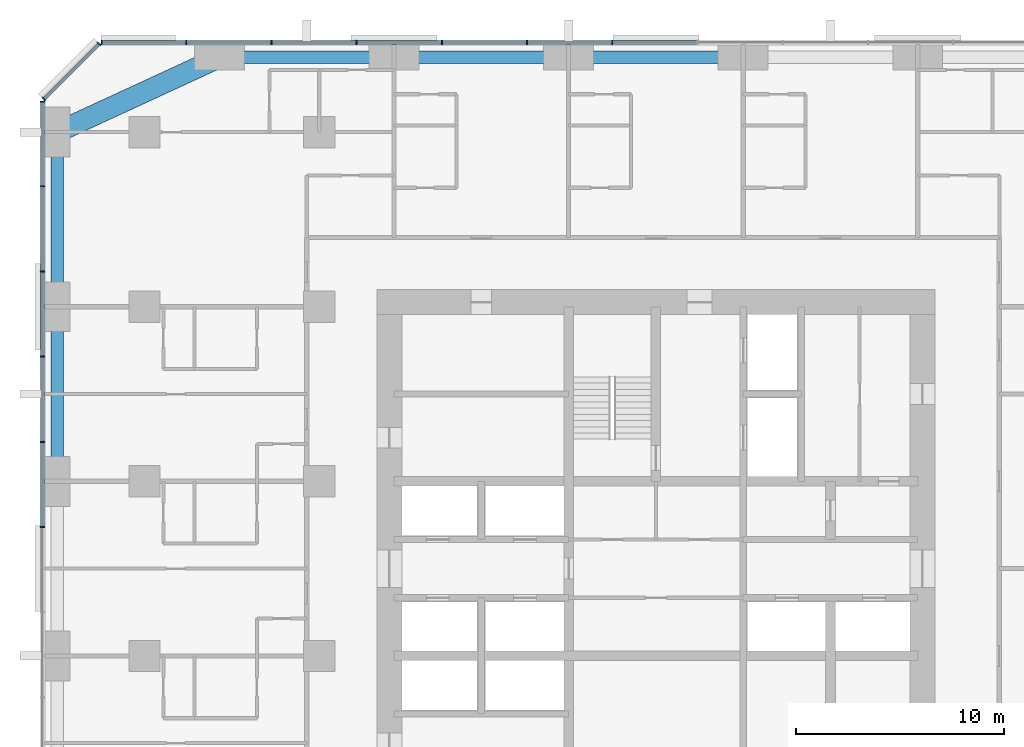
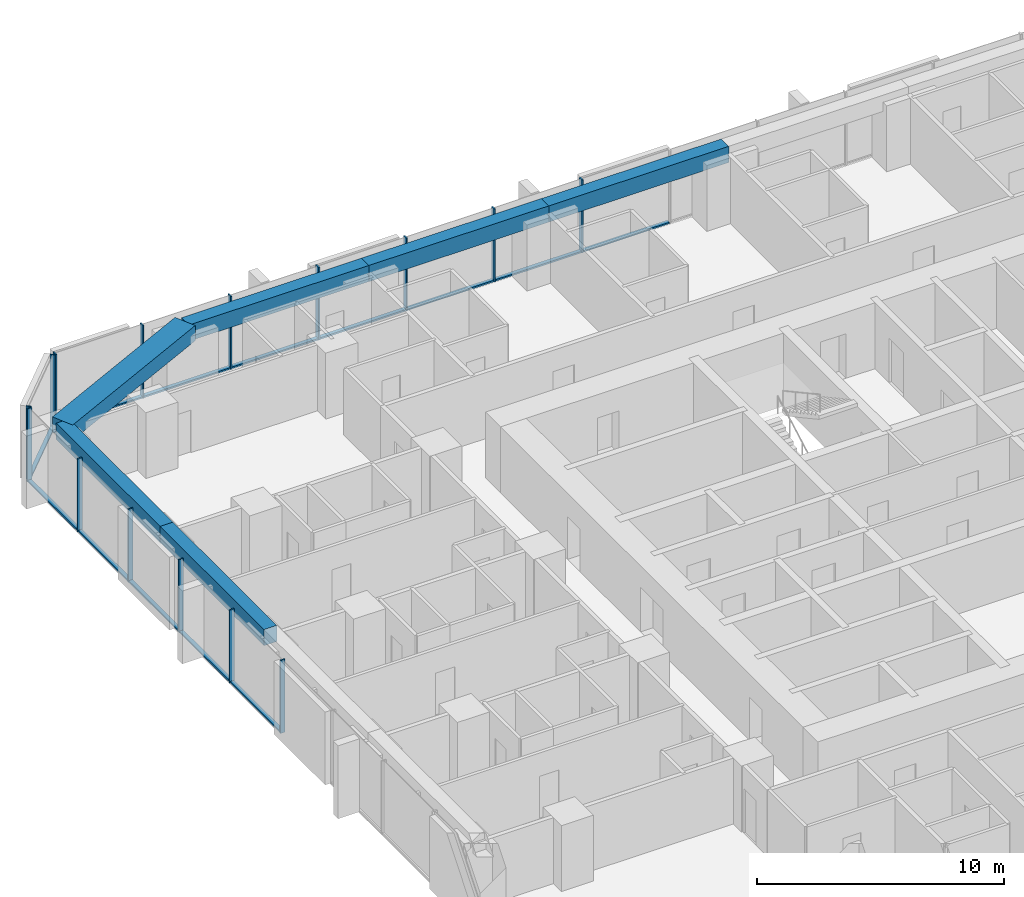
# One storey, part 5 of 14: 28 members, 6 beams, 3 elements without a shape of their own.
"""IFC4 building model written with IfcOpenShell, lengths in metres."""

import ifcopenshell
import ifcopenshell.guid

model = None  # the IFC model being written
_history = None  # IfcOwnerHistory: only IFC2X3 demands one
_inside = {}  # id of a spatial element -> (the spatial element, [elements in it])
_under = {}  # id of a project, library or spatial element -> (it, [spatial elements below it])
_declared = {}  # id of a project -> (the project, [libraries it declares])
_typed = {}  # id of a type object -> (the type object, [elements of that type])
_made_of = {}  # id of a material, layer set ... -> (it, [elements and type objects made of it])


def new_model(schema):
    """Start an empty IFC model of exactly this schema.

    Asked for "IFC4X3", IfcOpenShell would pick the latest addendum, in which some entities
    have other attributes; the version numbers below select the first issue.
    IFC2X3 requires an IfcOwnerHistory on every rooted entity: one is made here for all.
    """
    global model, _history
    if schema == "IFC4X3":
        model = ifcopenshell.file(schema_version=(4, 3, 0, 0))
    else:
        model = ifcopenshell.file(schema=schema)
    _inside.clear()
    _under.clear()
    _declared.clear()
    _typed.clear()
    _made_of.clear()
    _history = None
    if model.schema == "IFC2X3":
        org = make("IfcOrganization", Name="unknown")
        user = make(
            "IfcPersonAndOrganization",
            ThePerson=make("IfcPerson", FamilyName="unknown"),
            TheOrganization=org,
        )
        app = make(
            "IfcApplication",
            ApplicationDeveloper=org,
            Version="unknown",
            ApplicationFullName="unknown",
            ApplicationIdentifier="unknown",
        )
        _history = make(
            "IfcOwnerHistory",
            OwningUser=user,
            OwningApplication=app,
            ChangeAction="ADDED",
            CreationDate=0,
        )
    return model


def make(cls, **values):
    """One entity of the class cls with the attributes given. An attribute that is None is left unset."""
    return model.create_entity(
        cls, **{name: value for name, value in values.items() if value is not None}
    )


def rooted(cls, **values):
    """An entity with a GlobalId (a new one), such as an element, a storey or a relation."""
    return make(cls, GlobalId=ifcopenshell.guid.new(), OwnerHistory=_history, **values)


def si_unit(unit_type, name, prefix=None):
    """IfcSIUnit, for example si_unit("LENGTHUNIT", "METRE", prefix="MILLI")."""
    return make("IfcSIUnit", UnitType=unit_type, Prefix=prefix, Name=name)


def assignment(units):
    """IfcUnitAssignment: the units of a project."""
    return None if units is None else make("IfcUnitAssignment", Units=units)


def point(xyz):
    """IfcCartesianPoint."""
    return None if xyz is None else make("IfcCartesianPoint", Coordinates=xyz)


def direction(xyz):
    """IfcDirection."""
    return None if xyz is None else make("IfcDirection", DirectionRatios=xyz)


def frame(location, z_axis=None, x_axis=None):
    """IfcAxis2Placement3D, a coordinate frame: its origin and axes. An axis left out is left unset."""
    return make(
        "IfcAxis2Placement3D",
        Location=point(location),
        Axis=direction(z_axis),
        RefDirection=direction(x_axis),
    )


def frame_2d(location, x_axis=None):
    """IfcAxis2Placement2D, a coordinate frame in the plane: its origin and x axis."""
    return make(
        "IfcAxis2Placement2D", Location=point(location), RefDirection=direction(x_axis)
    )


def origin():
    """The frame at (0, 0, 0) with its axes left unset."""
    return frame((0.0, 0.0, 0.0))


def origin_2d():
    """The frame at (0, 0) in the plane with its x axis left unset."""
    return frame_2d((0.0, 0.0))


def place(relative_to, where):
    """IfcLocalPlacement: puts the frame where relative to a parent placement (None: the world)."""
    return make(
        "IfcLocalPlacement", PlacementRelTo=relative_to, RelativePlacement=where
    )


def context(
    kind, dimensions, precision=None, world=None, true_north=None, identifier=None
):
    """IfcGeometricRepresentationContext, for example the 3D "Model" context."""
    return make(
        "IfcGeometricRepresentationContext",
        ContextIdentifier=identifier,
        ContextType=kind,
        CoordinateSpaceDimension=dimensions,
        Precision=precision,
        WorldCoordinateSystem=world,
        TrueNorth=true_north,
    )


def subcontext(parent, identifier, kind, view, scale=None):
    """IfcGeometricRepresentationSubContext, for example "Body" below "Model"."""
    return make(
        "IfcGeometricRepresentationSubContext",
        ContextIdentifier=identifier,
        ContextType=kind,
        ParentContext=parent,
        TargetScale=scale,
        TargetView=view,
    )


def project(units=None, contexts=None):
    """IfcProject with its units and contexts."""
    return rooted(
        "IfcProject",
        Name="project",
        RepresentationContexts=contexts,
        UnitsInContext=assignment(units),
    )


def spatial(cls, under=None, at=None, **own):
    """A site, building, storey or space (cls), placed at a placement, below another one or the project."""
    s = rooted(cls, ObjectPlacement=at, **own)
    if under is not None:
        _under.setdefault(under.id(), (under, []))[1].append(s)
    return s


def profile(cls, at=None, kind="AREA", **sizes):
    """A parametric profile (cls). Its sizes go by their IFC names, for example OverallWidth=200.0."""
    return make(cls, ProfileType=kind, Position=at, **sizes)


def rectangle(**sizes):
    """IfcRectangleProfileDef."""
    return profile("IfcRectangleProfileDef", **sizes)


def extrude(swept, where, along, depth):
    """IfcExtrudedAreaSolid: the profile swept, set in the frame where, extruded along a direction by depth."""
    return make(
        "IfcExtrudedAreaSolid",
        SweptArea=swept,
        Position=where,
        ExtrudedDirection=direction(along),
        Depth=depth,
    )


def shape(context_of_items, identifier, shape_type, items):
    """IfcShapeRepresentation: the items that make up one representation, for example the "Body"."""
    return make(
        "IfcShapeRepresentation",
        ContextOfItems=context_of_items,
        RepresentationIdentifier=identifier,
        RepresentationType=shape_type,
        Items=items,
    )


def material(Name=None, Category=None):
    """IfcMaterial."""
    return make("IfcMaterial", Name=Name, Category=Category)


def material_profile(
    of_material, cross_section, Name=None, Category=None, Priority=None
):
    """IfcMaterialProfile: a cross section and its material."""
    return make(
        "IfcMaterialProfile",
        Name=Name,
        Material=of_material,
        Profile=cross_section,
        Priority=Priority,
        Category=Category,
    )


def profile_set(profiles, Name=None, composite=None):
    """IfcMaterialProfileSet."""
    return make(
        "IfcMaterialProfileSet",
        Name=Name,
        MaterialProfiles=profiles,
        CompositeProfile=composite,
    )


def made_of(thing, what):
    """Note that an element or type object is made of a material, layer set ...; save() writes the relation."""
    if what is not None:
        _made_of.setdefault(what.id(), (what, []))[1].append(thing)
    return thing


def type_object(cls, material=None, **own):
    """A type object (cls), such as IfcWallType, which elements share."""
    return made_of(rooted(cls, **own), material)


def element(
    cls,
    number,
    at=None,
    inside=None,
    cuts=None,
    type_object=None,
    material=None,
    context=None,
    identifier="Body",
    shape_type=None,
    held_by="IfcProductDefinitionShape",
    body=None,
    shapes=None,
    **own,
):
    """One element of the class cls, such as IfcWall. Its Tag is "e" and its number.

    at: its placement. inside: the storey or other place that contains it. cuts: it is an
    opening in that element (IfcRelVoidsElement). A single representation is given by context,
    identifier, shape_type and body (its items); several are given by shapes. held_by: the class
    of the entity that holds the representations. save() writes the other relations.
    """
    e = rooted(cls, Tag="e%d" % number, ObjectPlacement=at, **own)
    if body is not None:
        shapes = [shape(context, identifier, shape_type, body)]
    if shapes is not None:
        e.Representation = make(held_by, Representations=shapes)
    if inside is not None:
        _inside.setdefault(inside.id(), (inside, []))[1].append(e)
    if cuts is not None:
        rooted(
            "IfcRelVoidsElement", RelatingBuildingElement=cuts, RelatedOpeningElement=e
        )
    if type_object is not None:
        _typed.setdefault(type_object.id(), (type_object, []))[1].append(e)
    return made_of(e, material)


def aggregate(whole, parts):
    """IfcRelAggregates: a whole, such as a stair, and the parts it consists of."""
    return rooted("IfcRelAggregates", RelatingObject=whole, RelatedObjects=parts)


def save(model, path):
    """Write the relations noted so far, then the file.

    IfcRelAggregates (storeys below a building ...), IfcRelContainedInSpatialStructure (elements
    in a storey), IfcRelDefinesByType, IfcRelAssociatesMaterial and IfcRelDeclares: one each for
    every whole, place, type object, material and project.
    """
    for whole, parts in _under.values():
        aggregate(whole, parts)
    for where, things in _inside.values():
        rooted(
            "IfcRelContainedInSpatialStructure",
            RelatedElements=things,
            RelatingStructure=where,
        )
    for kind, things in _typed.values():
        rooted("IfcRelDefinesByType", RelatedObjects=things, RelatingType=kind)
    for what, things in _made_of.values():
        rooted("IfcRelAssociatesMaterial", RelatedObjects=things, RelatingMaterial=what)
    for by, libraries in _declared.values():
        rooted("IfcRelDeclares", RelatingContext=by, RelatedDefinitions=libraries)
    model.write(path)


model = new_model("IFC4")

# Units and contexts
model_context = context("Model", 3, precision=1e-05, world=origin(), true_north=direction((0.0, 1.0)))
body_context = subcontext(model_context, "Body", "Model", "MODEL_VIEW")
ifc_project = project(units=[si_unit("LENGTHUNIT", "METRE"), si_unit("AREAUNIT", "SQUARE_METRE"), si_unit("VOLUMEUNIT", "CUBIC_METRE"), si_unit("PLANEANGLEUNIT", "RADIAN"), si_unit("MASSUNIT", "GRAM", prefix="KILO")], contexts=[model_context])

# Site, building, storey
site_placement = place(None, origin())
site = spatial("IfcSite", under=ifc_project, at=site_placement, CompositionType="ELEMENT")
building_placement = place(site_placement, origin())
building = spatial("IfcBuilding", under=site, at=building_placement, Name="Dunama Terrace Hotel", CompositionType="ELEMENT")
storey_placement = place(building_placement, frame((0.0, 0.0, 108.0)))
storey = spatial("IfcBuildingStorey", under=building, at=storey_placement, Name="L27", CompositionType="ELEMENT", Elevation=108.0)

# Curtain wall, members
ifc_material_1 = material(Name="Aluminium curtain wall system", Category="aluminium")
curtain_wall_type = type_object("IfcCurtainWallType", Name="Unitised fritted glass wall CW-B", PredefinedType="NOTDEFINED", material=ifc_material_1)
curtain_wall_1_placement = place(storey_placement, origin())
curtain_wall_1 = element("IfcCurtainWall", 1, at=curtain_wall_1_placement, inside=storey, type_object=curtain_wall_type, Name="Unitised fritted glass wall CW-B L27", PredefinedType="NOTDEFINED")
ifc_material_2 = material(Name="Aluminium mullion", Category="aluminium")
ifc_material_profile_1 = material_profile(ifc_material_2, rectangle(XDim=0.06494140625, YDim=0.219970703125, at=origin_2d()), Name="CWB MULLION 65X220")
ifc_profile_set_1 = profile_set([ifc_material_profile_1], Name="Aluminium mullion")
member_type_1 = type_object("IfcMemberType", Name="CWB mullion 65x220", PredefinedType="MULLION", material=ifc_profile_set_1)
member_1_placement = place(storey_placement, frame((27.300048828125, 54.7099609375, 0.0), z_axis=(0.0, 0.0, 1.0), x_axis=(-1.0, 0.0, 0.0)))
member_1 = element("IfcMember", 2, at=member_1_placement, type_object=member_type_1, Name="CWB mullion", PredefinedType="MULLION", context=body_context, shape_type="SweptSolid", body=[
    extrude(rectangle(XDim=0.06494140625, YDim=0.219970703125, at=origin_2d()), origin(), (0.0, 0.0, 1.0), 3.60009765625),
])
member_2_placement = place(storey_placement, frame((23.199951171875, 54.7099609375, 0.0), z_axis=(0.0, 0.0, 1.0), x_axis=(-1.0, 0.0, 0.0)))
member_2 = element("IfcMember", 3, at=member_2_placement, type_object=member_type_1, Name="CWB mullion", PredefinedType="MULLION", context=body_context, shape_type="SweptSolid", body=[
    extrude(rectangle(XDim=0.06494140625, YDim=0.219970703125, at=origin_2d()), origin(), (0.0, 0.0, 1.0), 3.60009765625),
])
member_3_placement = place(storey_placement, frame((19.10009765625, 54.7099609375, 0.0), z_axis=(0.0, 0.0, 1.0), x_axis=(-1.0, 0.0, 0.0)))
member_3 = element("IfcMember", 4, at=member_3_placement, type_object=member_type_1, Name="CWB mullion", PredefinedType="MULLION", context=body_context, shape_type="SweptSolid", body=[
    extrude(rectangle(XDim=0.06494140625, YDim=0.219970703125, at=origin_2d()), origin(), (0.0, 0.0, 1.0), 3.60009765625),
])
member_4_placement = place(storey_placement, frame((15.0, 54.7099609375, 0.0), z_axis=(0.0, 0.0, 1.0), x_axis=(-1.0, 0.0, 0.0)))
member_4 = element("IfcMember", 5, at=member_4_placement, type_object=member_type_1, Name="CWB mullion", PredefinedType="MULLION", context=body_context, shape_type="SweptSolid", body=[
    extrude(rectangle(XDim=0.06494140625, YDim=0.219970703125, at=origin_2d()), origin(), (0.0, 0.0, 1.0), 3.60009765625),
])
member_5_placement = place(storey_placement, frame((10.89990234375, 54.7099609375, 0.0), z_axis=(0.0, 0.0, 1.0), x_axis=(-1.0, 0.0, 0.0)))
member_5 = element("IfcMember", 6, at=member_5_placement, type_object=member_type_1, Name="CWB mullion", PredefinedType="MULLION", context=body_context, shape_type="SweptSolid", body=[
    extrude(rectangle(XDim=0.06494140625, YDim=0.219970703125, at=origin_2d()), origin(), (0.0, 0.0, 1.0), 3.60009765625),
])
member_6_placement = place(storey_placement, frame((6.800048828125, 54.7099609375, 0.0), z_axis=(0.0, 0.0, 1.0), x_axis=(-1.0, 0.0, 0.0)))
member_6 = element("IfcMember", 7, at=member_6_placement, type_object=member_type_1, Name="CWB mullion", PredefinedType="MULLION", context=body_context, shape_type="SweptSolid", body=[
    extrude(rectangle(XDim=0.06494140625, YDim=0.219970703125, at=origin_2d()), origin(), (0.0, 0.0, 1.0), 3.60009765625),
])
member_7_placement = place(storey_placement, frame((2.73291015625, 54.7099609375, 0.0), z_axis=(0.0, 0.0, 1.0), x_axis=(-1.0, 0.0, 0.0)))
member_7 = element("IfcMember", 8, at=member_7_placement, type_object=member_type_1, Name="CWB mullion", PredefinedType="MULLION", context=body_context, shape_type="SweptSolid", body=[
    extrude(rectangle(XDim=0.06494140625, YDim=0.219970703125, at=origin_2d()), origin(), (0.0, 0.0, 1.0), 3.60009765625),
])

curtain_wall_2_placement = place(storey_placement, origin())
curtain_wall_2 = element("IfcCurtainWall", 9, at=curtain_wall_2_placement, inside=storey, type_object=curtain_wall_type, Name="Unitised fritted glass wall CW-B L27", PredefinedType="NOTDEFINED")
member_8_placement = place(storey_placement, frame((2.59912109375, 54.655029296875, 0.0), z_axis=(0.0, 0.0, 1.0), x_axis=(-0.707106781187, -0.707106781187, 0.0)))
member_8 = element("IfcMember", 10, at=member_8_placement, type_object=member_type_1, Name="CWB mullion", PredefinedType="MULLION", context=body_context, shape_type="SweptSolid", body=[
    extrude(rectangle(XDim=0.06494140625, YDim=0.219970703125, at=origin_2d()), origin(), (0.0, 0.0, 1.0), 3.60009765625),
])
member_9_placement = place(storey_placement, frame((-0.054931640625, 52.0009765625, 0.0), z_axis=(0.0, 0.0, 1.0), x_axis=(-0.707106781187, -0.707106781187, 0.0)))
member_9 = element("IfcMember", 11, at=member_9_placement, type_object=member_type_1, Name="CWB mullion", PredefinedType="MULLION", context=body_context, shape_type="SweptSolid", body=[
    extrude(rectangle(XDim=0.06494140625, YDim=0.219970703125, at=origin_2d()), origin(), (0.0, 0.0, 1.0), 3.60009765625),
])

curtain_wall_3_placement = place(storey_placement, origin())
curtain_wall_3 = element("IfcCurtainWall", 12, at=curtain_wall_3_placement, inside=storey, type_object=curtain_wall_type, Name="Unitised fritted glass wall CW-B L27", PredefinedType="NOTDEFINED")
member_10_placement = place(storey_placement, frame((-0.110107421875, 51.866943359375, 0.0), z_axis=(0.0, 0.0, 1.0), x_axis=(0.0, -1.0, 0.0)))
member_10 = element("IfcMember", 13, at=member_10_placement, type_object=member_type_1, Name="CWB mullion", PredefinedType="MULLION", context=body_context, shape_type="SweptSolid", body=[
    extrude(rectangle(XDim=0.06494140625, YDim=0.219970703125, at=origin_2d()), origin(), (0.0, 0.0, 1.0), 3.60009765625),
])
member_11_placement = place(storey_placement, frame((-0.110107421875, 47.800048828125, 0.0), z_axis=(0.0, 0.0, 1.0), x_axis=(0.0, -1.0, 0.0)))
member_11 = element("IfcMember", 14, at=member_11_placement, type_object=member_type_1, Name="CWB mullion", PredefinedType="MULLION", context=body_context, shape_type="SweptSolid", body=[
    extrude(rectangle(XDim=0.06494140625, YDim=0.219970703125, at=origin_2d()), origin(), (0.0, 0.0, 1.0), 3.60009765625),
])
member_12_placement = place(storey_placement, frame((-0.110107421875, 43.699951171875, 0.0), z_axis=(0.0, 0.0, 1.0), x_axis=(0.0, -1.0, 0.0)))
member_12 = element("IfcMember", 15, at=member_12_placement, type_object=member_type_1, Name="CWB mullion", PredefinedType="MULLION", context=body_context, shape_type="SweptSolid", body=[
    extrude(rectangle(XDim=0.06494140625, YDim=0.219970703125, at=origin_2d()), origin(), (0.0, 0.0, 1.0), 3.60009765625),
])
member_13_placement = place(storey_placement, frame((-0.110107421875, 39.60009765625, 0.0), z_axis=(0.0, 0.0, 1.0), x_axis=(0.0, -1.0, 0.0)))
member_13 = element("IfcMember", 16, at=member_13_placement, type_object=member_type_1, Name="CWB mullion", PredefinedType="MULLION", context=body_context, shape_type="SweptSolid", body=[
    extrude(rectangle(XDim=0.06494140625, YDim=0.219970703125, at=origin_2d()), origin(), (0.0, 0.0, 1.0), 3.60009765625),
])
member_14_placement = place(storey_placement, frame((-0.110107421875, 35.5, 0.0), z_axis=(0.0, 0.0, 1.0), x_axis=(0.0, -1.0, 0.0)))
member_14 = element("IfcMember", 17, at=member_14_placement, type_object=member_type_1, Name="CWB mullion", PredefinedType="MULLION", context=body_context, shape_type="SweptSolid", body=[
    extrude(rectangle(XDim=0.06494140625, YDim=0.219970703125, at=origin_2d()), origin(), (0.0, 0.0, 1.0), 3.60009765625),
])
member_15_placement = place(storey_placement, frame((-0.110107421875, 31.39990234375, 0.0), z_axis=(0.0, 0.0, 1.0), x_axis=(0.0, -1.0, 0.0)))
member_15 = element("IfcMember", 18, at=member_15_placement, type_object=member_type_1, Name="CWB mullion", PredefinedType="MULLION", context=body_context, shape_type="SweptSolid", body=[
    extrude(rectangle(XDim=0.06494140625, YDim=0.219970703125, at=origin_2d()), origin(), (0.0, 0.0, 1.0), 3.60009765625),
])

# Member
ifc_material_3 = material(Name="Aluminium transom", Category="aluminium")
ifc_material_profile_2 = material_profile(ifc_material_3, rectangle(XDim=0.179931640625, YDim=0.080078125, at=origin_2d()), Name="CWB TRANSOM 180X80")
ifc_profile_set_2 = profile_set([ifc_material_profile_2], Name="Aluminium transom")
member_type_2 = type_object("IfcMemberType", Name="CWB transom 180x80", PredefinedType="USERDEFINED", material=ifc_profile_set_2)
member_16_placement = place(storey_placement, frame((31.366943359375, 54.7099609375, 0.0400390625), z_axis=(-1.0, 0.0, 0.0), x_axis=(0.0, -1.0, 0.0)))
member_16 = element("IfcMember", 19, at=member_16_placement, type_object=member_type_2, Name="CWB transom", ObjectType="TRANSOM", PredefinedType="USERDEFINED", context=body_context, shape_type="SweptSolid", body=[
    extrude(rectangle(XDim=0.179931640625, YDim=0.080078125, at=origin_2d()), origin(), (0.0, 0.0, 1.0), 4.034912109375),
])

member_17_placement = place(storey_placement, frame((27.26806640625, 54.7099609375, 0.0400390625), z_axis=(-1.0, 0.0, 0.0), x_axis=(0.0, -1.0, 0.0)))
member_17 = element("IfcMember", 20, at=member_17_placement, type_object=member_type_2, Name="CWB transom", ObjectType="TRANSOM", PredefinedType="USERDEFINED", context=body_context, shape_type="SweptSolid", body=[
    extrude(rectangle(XDim=0.179931640625, YDim=0.080078125, at=origin_2d()), origin(), (0.0, 0.0, 1.0), 4.03515625),
])

member_18_placement = place(storey_placement, frame((23.16796875, 54.7099609375, 0.0400390625), z_axis=(-1.0, 0.0, 0.0), x_axis=(0.0, -1.0, 0.0)))
member_18 = element("IfcMember", 21, at=member_18_placement, type_object=member_type_2, Name="CWB transom", ObjectType="TRANSOM", PredefinedType="USERDEFINED", context=body_context, shape_type="SweptSolid", body=[
    extrude(rectangle(XDim=0.179931640625, YDim=0.080078125, at=origin_2d()), origin(), (0.0, 0.0, 1.0), 4.034912109375),
])

member_19_placement = place(storey_placement, frame((19.068115234375, 54.7099609375, 0.0400390625), z_axis=(-1.0, 0.0, 0.0), x_axis=(0.0, -1.0, 0.0)))
member_19 = element("IfcMember", 22, at=member_19_placement, type_object=member_type_2, Name="CWB transom", ObjectType="TRANSOM", PredefinedType="USERDEFINED", context=body_context, shape_type="SweptSolid", body=[
    extrude(rectangle(XDim=0.179931640625, YDim=0.080078125, at=origin_2d()), origin(), (0.0, 0.0, 1.0), 4.0361328125),
])

member_20_placement = place(storey_placement, frame((14.968017578125, 54.7099609375, 0.0400390625), z_axis=(-1.0, 0.0, 0.0), x_axis=(0.0, -1.0, 0.0)))
member_20 = element("IfcMember", 23, at=member_20_placement, type_object=member_type_2, Name="CWB transom", ObjectType="TRANSOM", PredefinedType="USERDEFINED", context=body_context, shape_type="SweptSolid", body=[
    extrude(rectangle(XDim=0.179931640625, YDim=0.080078125, at=origin_2d()), origin(), (0.0, 0.0, 1.0), 4.0361328125),
])

member_21_placement = place(storey_placement, frame((10.866943359375, 54.7099609375, 0.0400390625), z_axis=(-1.0, 0.0, 0.0), x_axis=(0.0, -1.0, 0.0)))
member_21 = element("IfcMember", 24, at=member_21_placement, type_object=member_type_2, Name="CWB transom", ObjectType="TRANSOM", PredefinedType="USERDEFINED", context=body_context, shape_type="SweptSolid", body=[
    extrude(rectangle(XDim=0.179931640625, YDim=0.080078125, at=origin_2d()), origin(), (0.0, 0.0, 1.0), 4.033935546875),
])

member_22_placement = place(storey_placement, frame((6.76806640625, 54.7099609375, 0.0400390625), z_axis=(-1.0, 0.0, 0.0), x_axis=(0.0, -1.0, 0.0)))
member_22 = element("IfcMember", 25, at=member_22_placement, type_object=member_type_2, Name="CWB transom", ObjectType="TRANSOM", PredefinedType="USERDEFINED", context=body_context, shape_type="SweptSolid", body=[
    extrude(rectangle(XDim=0.179931640625, YDim=0.080078125, at=origin_2d()), origin(), (0.0, 0.0, 1.0), 4.003173828125),
])

aggregate(curtain_wall_1, [member_1, member_2, member_3, member_4, member_5, member_6, member_7, member_16, member_17, member_18, member_19, member_20, member_21, member_22])

member_23_placement = place(storey_placement, frame((2.575927734375, 54.632080078125, 0.0400390625), z_axis=(-0.707073683909, -0.707139876915, 0.0), x_axis=(0.707139876915, -0.707073683909, 0.0)))
member_23 = element("IfcMember", 26, at=member_23_placement, type_object=member_type_2, Name="CWB transom", ObjectType="TRANSOM", PredefinedType="USERDEFINED", context=body_context, shape_type="SweptSolid", body=[
    extrude(rectangle(XDim=0.179931640625, YDim=0.080078125, at=origin_2d()), origin(), (0.0, 0.0, 1.0), 3.688232421875),
])

aggregate(curtain_wall_2, [member_8, member_9, member_23])

member_24_placement = place(storey_placement, frame((-0.110107421875, 51.8349609375, 0.0400390625), z_axis=(0.0, -1.0, 0.0), x_axis=(1.0, 0.0, 0.0)))
member_24 = element("IfcMember", 27, at=member_24_placement, type_object=member_type_2, Name="CWB transom", ObjectType="TRANSOM", PredefinedType="USERDEFINED", context=body_context, shape_type="SweptSolid", body=[
    extrude(rectangle(XDim=0.179931640625, YDim=0.080078125, at=origin_2d()), origin(), (0.0, 0.0, 1.0), 4.0029296875),
])

member_25_placement = place(storey_placement, frame((-0.110107421875, 47.76708984375, 0.0400390625), z_axis=(0.0, -1.0, 0.0), x_axis=(1.0, 0.0, 0.0)))
member_25 = element("IfcMember", 28, at=member_25_placement, type_object=member_type_2, Name="CWB transom", ObjectType="TRANSOM", PredefinedType="USERDEFINED", context=body_context, shape_type="SweptSolid", body=[
    extrude(rectangle(XDim=0.179931640625, YDim=0.080078125, at=origin_2d()), origin(), (0.0, 0.0, 1.0), 4.0341796875),
])

member_26_placement = place(storey_placement, frame((-0.110107421875, 43.6669921875, 0.0400390625), z_axis=(0.0, -1.0, 0.0), x_axis=(1.0, 0.0, 0.0)))
member_26 = element("IfcMember", 29, at=member_26_placement, type_object=member_type_2, Name="CWB transom", ObjectType="TRANSOM", PredefinedType="USERDEFINED", context=body_context, shape_type="SweptSolid", body=[
    extrude(rectangle(XDim=0.179931640625, YDim=0.080078125, at=origin_2d()), origin(), (0.0, 0.0, 1.0), 4.033935546875),
])

member_27_placement = place(storey_placement, frame((-0.110107421875, 39.56689453125, 0.0400390625), z_axis=(0.0, -1.0, 0.0), x_axis=(1.0, 0.0, 0.0)))
member_27 = element("IfcMember", 30, at=member_27_placement, type_object=member_type_2, Name="CWB transom", ObjectType="TRANSOM", PredefinedType="USERDEFINED", context=body_context, shape_type="SweptSolid", body=[
    extrude(rectangle(XDim=0.179931640625, YDim=0.080078125, at=origin_2d()), origin(), (0.0, 0.0, 1.0), 4.034912109375),
])

member_28_placement = place(storey_placement, frame((-0.110107421875, 35.468017578125, 0.0400390625), z_axis=(0.0, -1.0, 0.0), x_axis=(1.0, 0.0, 0.0)))
member_28 = element("IfcMember", 31, at=member_28_placement, type_object=member_type_2, Name="CWB transom", ObjectType="TRANSOM", PredefinedType="USERDEFINED", context=body_context, shape_type="SweptSolid", body=[
    extrude(rectangle(XDim=0.179931640625, YDim=0.080078125, at=origin_2d()), origin(), (0.0, 0.0, 1.0), 4.0361328125),
])

aggregate(curtain_wall_3, [member_10, member_11, member_12, member_13, member_14, member_15, member_24, member_25, member_26, member_27, member_28])

# Beams
ifc_material_4 = material(Name="Concrete C50/60", Category="concrete")
ifc_material_profile_3 = material_profile(ifc_material_4, rectangle(XDim=1.0, YDim=0.75, at=origin_2d()), Name="RC 1000x750")
ifc_profile_set_3 = profile_set([ifc_material_profile_3], Name="Concrete C50/60")
beam_type_1 = type_object("IfcBeamType", Name="Edge beam RC 1000x750", PredefinedType="SPANDREL", material=ifc_profile_set_3)
beam_1_placement = place(storey_placement, frame((8.39990234375, 54.0, 3.22509765625), z_axis=(-0.907951066374, -0.419076199598, 0.0), x_axis=(0.419076199598, -0.907951066374, 0.0)))
element("IfcBeam", 32, at=beam_1_placement, inside=storey, type_object=beam_type_1, Name="Corner edge beam under L28", PredefinedType="SPANDREL", context=body_context, shape_type="SweptSolid", body=[
    extrude(rectangle(XDim=1.0, YDim=0.75, at=origin_2d()), origin(), (0.0, 0.0, 1.0), 8.590576171875),
])
ifc_material_5 = material(Name="Concrete C40/50", Category="concrete")
ifc_material_profile_4 = material_profile(ifc_material_5, rectangle(XDim=0.60009765625, YDim=0.800048828125, at=origin_2d()), Name="RC 600x800")
ifc_profile_set_4 = profile_set([ifc_material_profile_4], Name="Concrete C40/50")
beam_type_2 = type_object("IfcBeamType", Name="Edge beam RC 600x800", PredefinedType="SPANDREL", material=ifc_profile_set_4)
for number, where, z_axis, x_axis, name in (
    (33, (0.60009765625, 33.60009765625, 3.199951171875), (0.0, 1.0, 0.0), (-1.0, 0.0, 0.0), "Edge beam under L28"),
    (34, (0.60009765625, 42.0, 3.199951171875), (0.0, 1.0, 0.0), (-1.0, 0.0, 0.0), "Edge beam under L28"),
):
    element("IfcBeam", number, at=place(storey_placement, frame(where, z_axis=z_axis, x_axis=x_axis)), inside=storey, type_object=beam_type_2, Name=name, PredefinedType="SPANDREL", context=body_context, shape_type="SweptSolid", body=[
        extrude(rectangle(XDim=0.60009765625, YDim=0.800048828125, at=origin_2d()), origin(), (0.0, 0.0, 1.0), 8.39990234375),
    ])
beam_2_placement = place(storey_placement, frame((8.39990234375, 54.0, 3.199951171875), z_axis=(1.0, 0.0, 0.0), x_axis=(0.0, 1.0, 0.0)))
element("IfcBeam", 35, at=beam_2_placement, inside=storey, type_object=beam_type_2, Name="Edge beam under L28", PredefinedType="SPANDREL", context=body_context, shape_type="SweptSolid", body=[
    extrude(rectangle(XDim=0.60009765625, YDim=0.800048828125, at=origin_2d()), origin(), (0.0, 0.0, 1.0), 8.400146484375),
])
beam_3_placement = place(storey_placement, frame((16.800048828125, 54.0, 3.199951171875), z_axis=(1.0, 0.0, 0.0), x_axis=(0.0, 1.0, 0.0)))
element("IfcBeam", 36, at=beam_3_placement, inside=storey, type_object=beam_type_2, Name="Edge beam under L28", PredefinedType="SPANDREL", context=body_context, shape_type="SweptSolid", body=[
    extrude(rectangle(XDim=0.60009765625, YDim=0.800048828125, at=origin_2d()), origin(), (0.0, 0.0, 1.0), 8.39990234375),
])
beam_4_placement = place(storey_placement, frame((25.199951171875, 54.0, 3.199951171875), z_axis=(1.0, 0.0, 0.0), x_axis=(0.0, 1.0, 0.0)))
element("IfcBeam", 37, at=beam_4_placement, inside=storey, type_object=beam_type_2, Name="Edge beam under L28", PredefinedType="SPANDREL", context=body_context, shape_type="SweptSolid", body=[
    extrude(rectangle(XDim=0.60009765625, YDim=0.800048828125, at=origin_2d()), origin(), (0.0, 0.0, 1.0), 8.400146484375),
])

save(model, "model.ifc")
